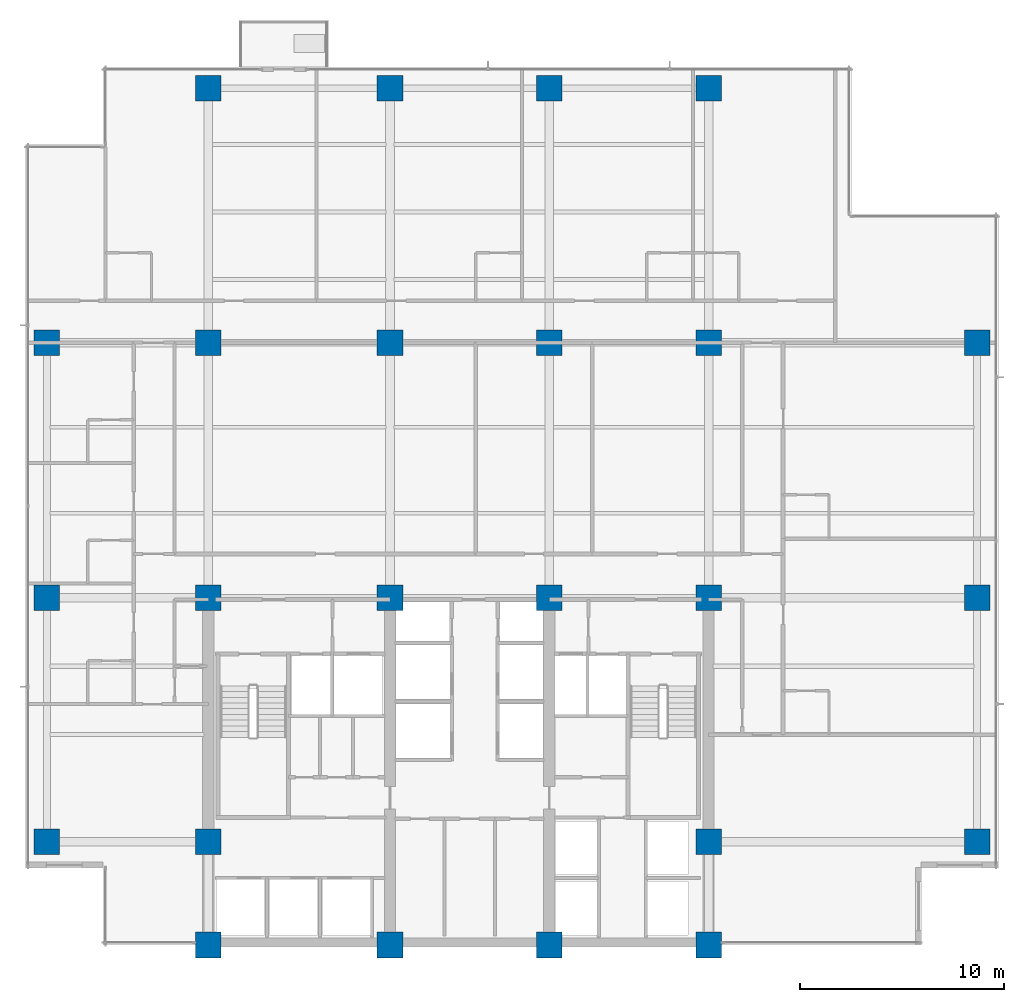
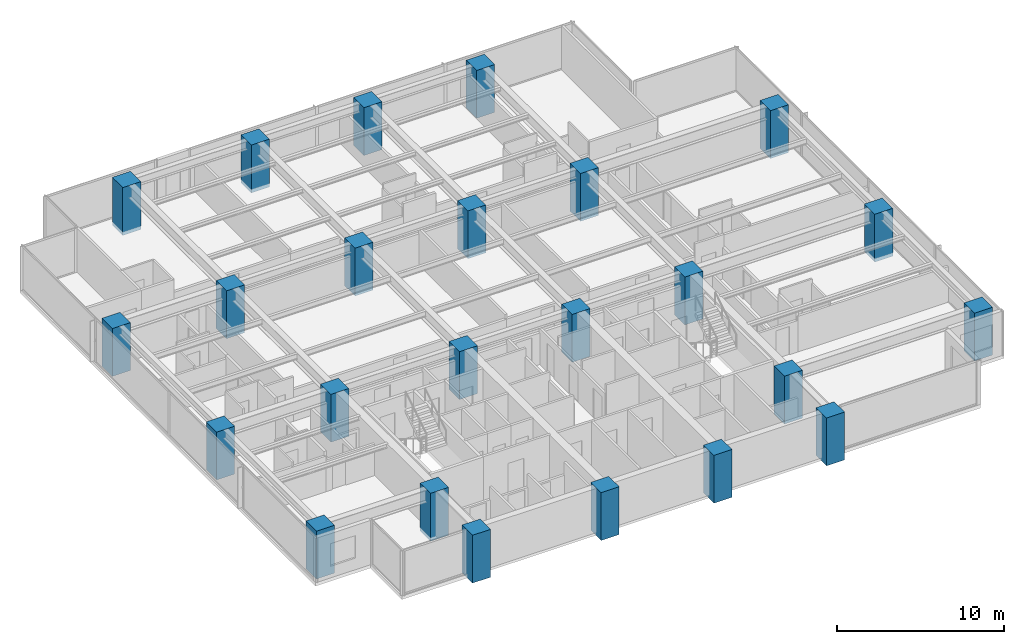
# One storey, part 1 of 18: 24 columns.
"""IFC4 building model written with IfcOpenShell, lengths in metres."""

from ifc_helpers import new_model, si_unit, direction, frame, origin, origin_2d, place, context, subcontext, project, spatial, rectangle, extrude, material, material_profile, profile_set, type_object, element, save


model = new_model("IFC4")

# Units and contexts
model_context = context("Model", 3, precision=1e-05, world=origin(), true_north=direction((0.0, 1.0)))
body_context = subcontext(model_context, "Body", "Model", "MODEL_VIEW")
ifc_project = project(units=[si_unit("LENGTHUNIT", "METRE"), si_unit("AREAUNIT", "SQUARE_METRE"), si_unit("VOLUMEUNIT", "CUBIC_METRE"), si_unit("PLANEANGLEUNIT", "RADIAN"), si_unit("MASSUNIT", "GRAM", prefix="KILO")], contexts=[model_context])

# Site, building, storey
site_placement = place(None, origin())
site = spatial("IfcSite", under=ifc_project, at=site_placement, CompositionType="ELEMENT")
building_placement = place(site_placement, origin())
building = spatial("IfcBuilding", under=site, at=building_placement, Name="Qalmaran Belvedere Hotel", CompositionType="ELEMENT")
storey_placement = place(building_placement, frame((0.0, 0.0, 95.199951171875)))
storey = spatial("IfcBuildingStorey", under=building, at=storey_placement, Name="L23", CompositionType="ELEMENT", Elevation=95.199951171875)

# Columns
ifc_material = material(Name="Concrete C60/75", Category="concrete")
ifc_material_profile = material_profile(ifc_material, rectangle(XDim=1.25, YDim=1.25, at=origin_2d()), Name="CC1250X1250")
ifc_profile_set = profile_set([ifc_material_profile], Name="Concrete C60/75")
column_type = type_object("IfcColumnType", Name="COL-Z2-CC1250", PredefinedType="COLUMN", material=ifc_profile_set)
for number, where, z_axis, x_axis, name in (
    (1, (20.300048828125, 3.5, -0.260009765625), (0.0, 0.0, 1.0), (1.0, 0.0, 0.0), "L23 Column C4B"),
    (2, (29.199951171875, 3.5, -0.260009765625), (0.0, 0.0, 1.0), (1.0, 0.0, 0.0), "L23 Column C5B"),
    (3, (37.0, 3.5, -0.260009765625), (0.0, 0.0, 1.0), (1.0, 0.0, 0.0), "L23 Column C6B"),
    (4, (44.800048828125, 3.5, -0.260009765625), (0.0, 0.0, 1.0), (1.0, 0.0, 0.0), "L23 Column C7B"),
    (5, (20.300048828125, 8.550048828125, -0.260009765625), (0.0, 0.0, 1.0), (1.0, 0.0, 0.0), "L23 Column C4C"),
    (6, (44.800048828125, 8.550048828125, -0.260009765625), (0.0, 0.0, 1.0), (1.0, 0.0, 0.0), "L23 Column C7C"),
    (7, (20.300048828125, 20.5, -0.260009765625), (0.0, 0.0, 1.0), (1.0, 0.0, 0.0), "L23 Column C4D"),
    (8, (29.199951171875, 20.5, -0.260009765625), (0.0, 0.0, 1.0), (1.0, 0.0, 0.0), "L23 Column C5D"),
    (9, (37.0, 20.5, -0.260009765625), (0.0, 0.0, 1.0), (1.0, 0.0, 0.0), "L23 Column C6D"),
    (10, (44.800048828125, 20.5, -0.260009765625), (0.0, 0.0, 1.0), (1.0, 0.0, 0.0), "L23 Column C7D"),
    (11, (20.300048828125, 33.0, -0.260009765625), (0.0, 0.0, 1.0), (1.0, 0.0, 0.0), "L23 Column C4F"),
    (12, (29.199951171875, 33.0, -0.260009765625), (0.0, 0.0, 1.0), (1.0, 0.0, 0.0), "L23 Column C5F"),
    (13, (37.0, 33.0, -0.260009765625), (0.0, 0.0, 1.0), (1.0, 0.0, 0.0), "L23 Column C6F"),
    (14, (44.800048828125, 33.0, -0.260009765625), (0.0, 0.0, 1.0), (1.0, 0.0, 0.0), "L23 Column C7F"),
    (15, (12.39990234375, 8.550048828125, -0.260009765625), (0.0, 0.0, 1.0), (1.0, 0.0, 0.0), "L23 Column CW1"),
    (16, (12.39990234375, 20.5, -0.260009765625), (0.0, 0.0, 1.0), (1.0, 0.0, 0.0), "L23 Column CW3"),
    (17, (12.39990234375, 33.0, -0.260009765625), (0.0, 0.0, 1.0), (1.0, 0.0, 0.0), "L23 Column CW4"),
    (18, (57.949951171875, 8.550048828125, -0.260009765625), (0.0, 0.0, 1.0), (1.0, 0.0, 0.0), "L23 Column CE1"),
    (19, (57.949951171875, 20.5, -0.260009765625), (0.0, 0.0, 1.0), (1.0, 0.0, 0.0), "L23 Column CE3"),
    (20, (57.949951171875, 33.0, -0.260009765625), (0.0, 0.0, 1.0), (1.0, 0.0, 0.0), "L23 Column CE4"),
    (21, (20.300048828125, 45.449951171875, -0.260009765625), (0.0, 0.0, 1.0), (1.0, 0.0, 0.0), "L23 Column CN1"),
    (22, (29.199951171875, 45.449951171875, -0.260009765625), (0.0, 0.0, 1.0), (1.0, 0.0, 0.0), "L23 Column CN2"),
    (23, (37.0, 45.449951171875, -0.260009765625), (0.0, 0.0, 1.0), (1.0, 0.0, 0.0), "L23 Column CN3"),
    (24, (44.800048828125, 45.449951171875, -0.260009765625), (0.0, 0.0, 1.0), (1.0, 0.0, 0.0), "L23 Column CN4"),
):
    element("IfcColumn", number, at=place(storey_placement, frame(where, z_axis=z_axis, x_axis=x_axis)), inside=storey, type_object=column_type, Name=name, PredefinedType="COLUMN", context=body_context, shape_type="SweptSolid", body=[
        extrude(rectangle(XDim=1.25, YDim=1.25, at=origin_2d()), origin(), (0.0, 0.0, 1.0), 3.5),
    ])

save(model, "model.ifc")
